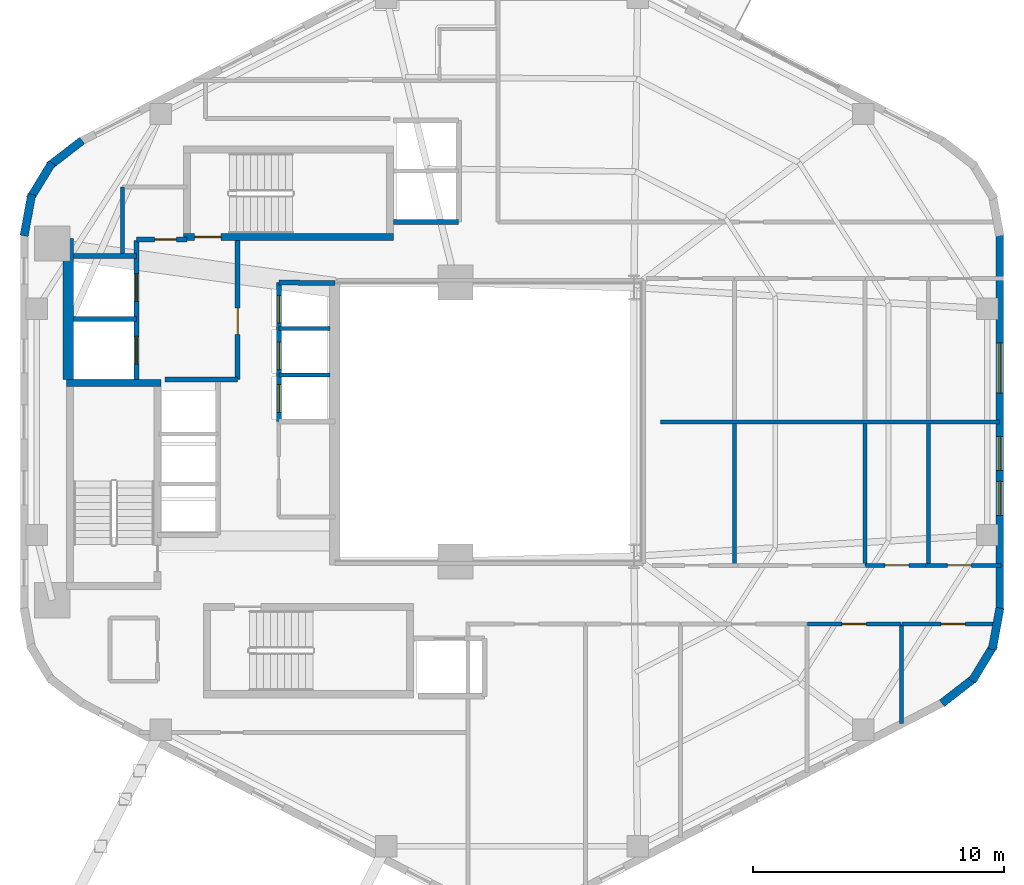
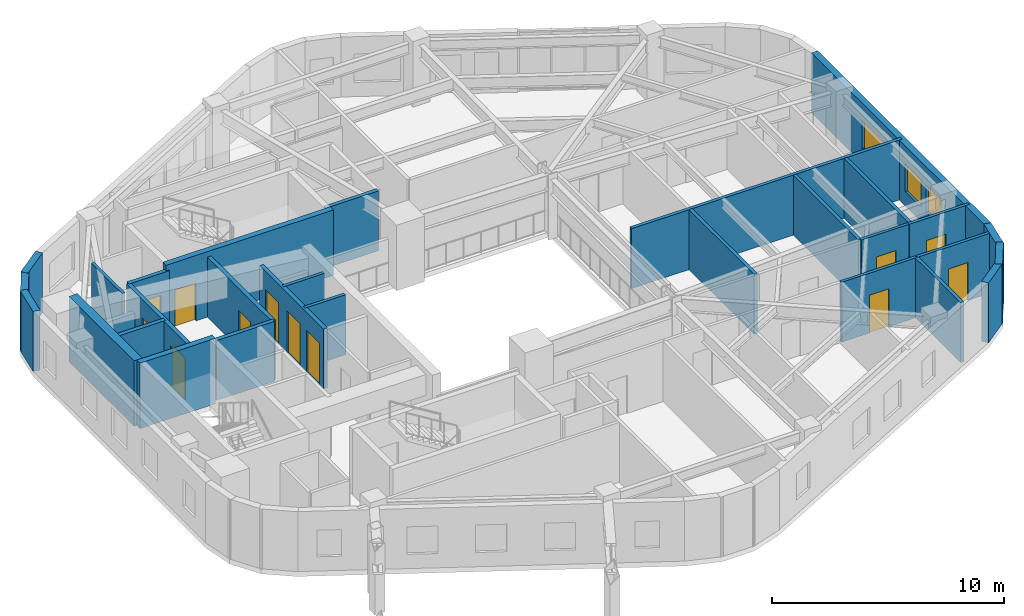
# One storey, part 7 of 11: 31 walls, 12 doors, 3 windows, 15 openings.
"""IFC4 building model written with IfcOpenShell, lengths in metres."""

from ifc_helpers import new_model, si_unit, direction, frame, frame_2d, origin, place, context, subcontext, project, spatial, rectangle, extrude, material, layer, layer_set, type_object, element, fill, save


model = new_model("IFC4")

# Units and contexts
model_context = context("Model", 3, precision=1e-05, world=origin(), true_north=direction((0.0, 1.0)))
body_context = subcontext(model_context, "Body", "Model", "MODEL_VIEW")
ifc_project = project(units=[si_unit("LENGTHUNIT", "METRE"), si_unit("AREAUNIT", "SQUARE_METRE"), si_unit("VOLUMEUNIT", "CUBIC_METRE"), si_unit("PLANEANGLEUNIT", "RADIAN"), si_unit("MASSUNIT", "GRAM", prefix="KILO"), si_unit("THERMODYNAMICTEMPERATUREUNIT", "KELVIN"), si_unit("POWERUNIT", "WATT")], contexts=[model_context])

# Site, building, storey
site_placement = place(None, origin())
site = spatial("IfcSite", under=ifc_project, at=site_placement, CompositionType="ELEMENT")
building_placement = place(site_placement, origin())
building = spatial("IfcBuilding", under=site, at=building_placement, Name="Skarre Station Tower", CompositionType="ELEMENT")
storey_placement = place(building_placement, frame((0.0, 0.0, 170.550048828125)))
storey = spatial("IfcBuildingStorey", under=building, at=storey_placement, Name="L46", CompositionType="ELEMENT", Elevation=170.550048828125)

# Wall
ifc_material_1 = material(Name="Acoustic Steel-Stud Gypsum Partition", Category="steel")
ifc_layer_1 = layer(ifc_material_1, 0.14990234375, Name="Acoustic Steel-Stud Gypsum Partition")
ifc_layer_set_1 = layer_set([ifc_layer_1], Name="Acoustic Steel-Stud Gypsum Partition")
wall_type_1 = type_object("IfcWallType", Name="Fire-Rated Corridor Acoustic Partition 150", PredefinedType="PARTITIONING", material=ifc_layer_set_1)
wall_1_placement = place(storey_placement, frame((19.10009765625, 33.35009765625, 0.0), z_axis=(0.0, 0.0, 1.0), x_axis=(0.0, -1.0, 0.0)))
element("IfcWall", 1, at=wall_1_placement, inside=storey, type_object=wall_type_1, Name="L46 Interior Partition WL-PT-L46-CNW-W", PredefinedType="PARTITIONING", context=body_context, shape_type="SweptSolid", body=[
    extrude(rectangle(XDim=2.655029296875, YDim=0.14990234375, at=frame_2d((1.32763671875, 0.0))), origin(), (0.0, 0.0, 1.0), 3.159912109375),
])

# Wall, opening, door
wall_2_placement = place(storey_placement, frame((51.053955078125, 18.2900390625, 0.0), z_axis=(0.0, 0.0, 1.0), x_axis=(-1.0, 0.0, 0.0)))
wall_2 = element("IfcWall", 2, at=wall_2_placement, inside=storey, type_object=wall_type_1, Name="L46 Interior Partition WL-PT-L46-EWS3-CW", PredefinedType="PARTITIONING", context=body_context, shape_type="SweptSolid", body=[
    extrude(rectangle(XDim=2.383056640625, YDim=0.14990234375, at=frame_2d((1.19140625, 0.0))), origin(), (0.0, 0.0, 1.0), 3.159912109375),
])
opening_1_placement = place(wall_2_placement, frame((0.654052734375, 0.0, 0.0)))
opening_1 = element("IfcOpeningElement", 3, at=opening_1_placement, cuts=wall_2, Name="Opening DR-FD60", PredefinedType="OPENING", context=body_context, shape_type="SweptSolid", body=[
    extrude(rectangle(XDim=0.9599609375, YDim=2.0, at=frame_2d((0.47998046875, 1.0))), frame((0.0, 0.0849609375, 0.0), z_axis=(0.0, -1.0, 0.0), x_axis=(1.0, 0.0, 0.0)), (0.0, 0.0, 1.0), 0.169921875),
])
ifc_material_2 = material(Name="Nordic White-Oak Veneer Solid-Core Fire Leaf", Category="wood")
door_type_1 = type_object("IfcDoorType", Name="Corridor Suite Entry Fire Door FD60 960x2150", OperationType="SINGLE_SWING_LEFT", PredefinedType="DOOR", material=ifc_material_2)
door_1_placement = place(opening_1_placement, origin())
door_1 = element("IfcDoor", 4, at=door_1_placement, inside=storey, type_object=door_type_1, Name="L46 EWS3 Entry Door", OperationType="SINGLE_SWING_LEFT", OverallHeight=2.0, OverallWidth=0.9599609375, PredefinedType="DOOR", context=body_context, shape_type="SweptSolid", body=[
    extrude(rectangle(XDim=0.9599609375, YDim=2.0, at=frame_2d((0.47998046875, 1.0))), frame((0.0, 0.02490234375, 0.0), z_axis=(0.0, -1.0, 0.0), x_axis=(1.0, 0.0, 0.0)), (0.0, 0.0, 1.0), 0.050048828125),
])
fill(opening_1, door_1)

wall_3_placement = place(storey_placement, frame((54.06201171875, 18.2900390625, 0.0), z_axis=(0.0, 0.0, 1.0), x_axis=(-1.0, 0.0, 0.0)))
wall_3 = element("IfcWall", 5, at=wall_3_placement, inside=storey, type_object=wall_type_1, Name="L46 Interior Partition WL-PT-L46-EWS4-CW", PredefinedType="PARTITIONING", context=body_context, shape_type="SweptSolid", body=[
    extrude(rectangle(XDim=2.998046875, YDim=0.14990234375, at=frame_2d((1.4990234375, 0.0))), origin(), (0.0, 0.0, 1.0), 3.159912109375),
])
opening_2_placement = place(wall_3_placement, frame((1.176025390625, 0.0, 0.0)))
opening_2 = element("IfcOpeningElement", 6, at=opening_2_placement, cuts=wall_3, Name="Opening DR-FD60", PredefinedType="OPENING", context=body_context, shape_type="SweptSolid", body=[
    extrude(rectangle(XDim=0.9599609375, YDim=2.0, at=frame_2d((0.47998046875, 1.0))), frame((0.0, 0.0849609375, 0.0), z_axis=(0.0, -1.0, 0.0), x_axis=(1.0, 0.0, 0.0)), (0.0, 0.0, 1.0), 0.169921875),
])
door_2_placement = place(opening_2_placement, origin())
door_2 = element("IfcDoor", 7, at=door_2_placement, inside=storey, type_object=door_type_1, Name="L46 EWS4 Entry Door", OperationType="SINGLE_SWING_LEFT", OverallHeight=2.0, OverallWidth=0.9599609375, PredefinedType="DOOR", context=body_context, shape_type="SweptSolid", body=[
    extrude(rectangle(XDim=0.9599609375, YDim=2.0, at=frame_2d((0.47998046875, 1.0))), frame((0.0, 0.02490234375, 0.0), z_axis=(0.0, -1.0, 0.0), x_axis=(1.0, 0.0, 0.0)), (0.0, 0.0, 1.0), 0.050048828125),
])
fill(opening_2, door_2)

wall_4_placement = place(storey_placement, frame((46.35400390625, 15.9599609375, 0.0), z_axis=(0.0, 0.0, 1.0), x_axis=(1.0, 0.0, 0.0)))
wall_4 = element("IfcWall", 8, at=wall_4_placement, inside=storey, type_object=wall_type_1, Name="L46 Interior Partition WL-PT-L46-SW4-CW", PredefinedType="PARTITIONING", context=body_context, shape_type="SweptSolid", body=[
    extrude(rectangle(XDim=3.737060546875, YDim=0.14990234375, at=frame_2d((1.86865234375, 0.0))), origin(), (0.0, 0.0, 1.0), 3.159912109375),
])
opening_3_placement = place(wall_4_placement, frame((1.388916015625, 0.0, 0.0)))
opening_3 = element("IfcOpeningElement", 9, at=opening_3_placement, cuts=wall_4, Name="Opening DR-FD60", PredefinedType="OPENING", context=body_context, shape_type="SweptSolid", body=[
    extrude(rectangle(XDim=0.9599609375, YDim=2.0, at=frame_2d((0.47998046875, 1.0))), frame((0.0, 0.0849609375, 0.0), z_axis=(0.0, -1.0, 0.0), x_axis=(1.0, 0.0, 0.0)), (0.0, 0.0, 1.0), 0.169921875),
])
door_3_placement = place(opening_3_placement, origin())
door_3 = element("IfcDoor", 10, at=door_3_placement, inside=storey, type_object=door_type_1, Name="L46 SW4 Entry Door", OperationType="SINGLE_SWING_LEFT", OverallHeight=2.0, OverallWidth=0.9599609375, PredefinedType="DOOR", context=body_context, shape_type="SweptSolid", body=[
    extrude(rectangle(XDim=0.9599609375, YDim=2.0, at=frame_2d((0.47998046875, 1.0))), frame((0.0, 0.02490234375, 0.0), z_axis=(0.0, -1.0, 0.0), x_axis=(1.0, 0.0, 0.0)), (0.0, 0.0, 1.0), 0.050048828125),
])
fill(opening_3, door_3)

wall_5_placement = place(storey_placement, frame((50.126953125, 15.9599609375, 0.0), z_axis=(0.0, 0.0, 1.0), x_axis=(1.0, 0.0, 0.0)))
wall_5 = element("IfcWall", 11, at=wall_5_placement, inside=storey, type_object=wall_type_1, Name="L46 Interior Partition WL-PT-L46-SW5-CW", PredefinedType="PARTITIONING", context=body_context, shape_type="SweptSolid", body=[
    extrude(rectangle(XDim=3.93603515625, YDim=0.14990234375, at=frame_2d((1.968017578125, 0.0))), origin(), (0.0, 0.0, 1.0), 3.159912109375),
])
opening_4_placement = place(wall_5_placement, frame((1.556884765625, 0.0, 0.0)))
opening_4 = element("IfcOpeningElement", 12, at=opening_4_placement, cuts=wall_5, Name="Opening DR-FD60", PredefinedType="OPENING", context=body_context, shape_type="SweptSolid", body=[
    extrude(rectangle(XDim=0.9599609375, YDim=2.0, at=frame_2d((0.47998046875, 1.0))), frame((0.0, 0.0849609375, 0.0), z_axis=(0.0, -1.0, 0.0), x_axis=(1.0, 0.0, 0.0)), (0.0, 0.0, 1.0), 0.169921875),
])
door_4_placement = place(opening_4_placement, origin())
door_4 = element("IfcDoor", 13, at=door_4_placement, inside=storey, type_object=door_type_1, Name="L46 SW5 Entry Door", OperationType="SINGLE_SWING_LEFT", OverallHeight=2.0, OverallWidth=0.9599609375, PredefinedType="DOOR", context=body_context, shape_type="SweptSolid", body=[
    extrude(rectangle(XDim=0.9599609375, YDim=2.0, at=frame_2d((0.47998046875, 1.0))), frame((0.0, 0.02490234375, 0.0), z_axis=(0.0, -1.0, 0.0), x_axis=(1.0, 0.0, 0.0)), (0.0, 0.0, 1.0), 0.050048828125),
])
fill(opening_4, door_4)

# Walls
ifc_material_3 = material(Name="Precast concrete C45/55", Category="concrete")
ifc_layer_2 = layer(ifc_material_3, 0.330078125, Name="Precast concrete C45/55")
ifc_layer_set_2 = layer_set([ifc_layer_2], Name="Precast concrete C45/55")
wall_type_2 = type_object("IfcWallType", Name="Nordic Rounded Corner Precast Wall 330", PredefinedType="STANDARD", material=ifc_layer_set_2)
wall_6_placement = place(storey_placement, frame((15.178955078125, 31.407958984375, 0.0), z_axis=(0.0, 0.0, 1.0), x_axis=(0.180717642671, 0.983535019014, 0.0)))
element("IfcWall", 14, at=wall_6_placement, inside=storey, type_object=wall_type_2, Name="L46 Rounded Corner Precast Wall F2-1", PredefinedType="STANDARD", context=body_context, shape_type="SweptSolid", body=[
    extrude(rectangle(XDim=1.676513671875, YDim=0.330078125, at=frame_2d((0.83837890625, 0.0))), origin(), (0.0, 0.0, 1.0), 3.159912109375),
])
wall_7_placement = place(storey_placement, frame((15.4150390625, 32.882080078125, 0.0), z_axis=(0.0, 0.0, 1.0), x_axis=(0.520325409202, 0.853968072318, 0.0)))
element("IfcWall", 15, at=wall_7_placement, inside=storey, type_object=wall_type_2, Name="L46 Rounded Corner Precast Wall F2-2", PredefinedType="STANDARD", context=body_context, shape_type="SweptSolid", body=[
    extrude(rectangle(XDim=1.677978515625, YDim=0.330078125, at=frame_2d((0.8388671875, 0.0))), origin(), (0.0, 0.0, 1.0), 3.159912109375),
])
for number, where, z_axis, x_axis, name in (
    (16, (16.162109375, 34.175048828125, 0.0), (0.0, 0.0, 1.0), (0.791409877269, 0.611285862884, 0.0), "L46 Rounded Corner Precast Wall F2-3"),
    (17, (54.02099609375, 16.592041015625, 0.0), (0.0, 0.0, 1.0), (-0.180717642671, -0.983535019014, 0.0), "L46 Rounded Corner Precast Wall F5-1"),
):
    element("IfcWall", number, at=place(storey_placement, frame(where, z_axis=z_axis, x_axis=x_axis)), inside=storey, type_object=wall_type_2, Name=name, PredefinedType="STANDARD", context=body_context, shape_type="SweptSolid", body=[
        extrude(rectangle(XDim=1.676513671875, YDim=0.330078125, at=frame_2d((0.83837890625, 0.0))), origin(), (0.0, 0.0, 1.0), 3.159912109375),
    ])
wall_8_placement = place(storey_placement, frame((53.784912109375, 15.117919921875, 0.0), z_axis=(0.0, 0.0, 1.0), x_axis=(-0.520219286058, -0.85403272444, 0.0)))
element("IfcWall", 18, at=wall_8_placement, inside=storey, type_object=wall_type_2, Name="L46 Rounded Corner Precast Wall F5-2", PredefinedType="STANDARD", context=body_context, shape_type="SweptSolid", body=[
    extrude(rectangle(XDim=1.677734375, YDim=0.330078125, at=frame_2d((0.8388671875, 0.0))), origin(), (0.0, 0.0, 1.0), 3.159912109375),
])
wall_9_placement = place(storey_placement, frame((53.0380859375, 13.824951171875, 0.0), z_axis=(0.0, 0.0, 1.0), x_axis=(-0.791464279355, -0.611215423976, 0.0)))
element("IfcWall", 19, at=wall_9_placement, inside=storey, type_object=wall_type_2, Name="L46 Rounded Corner Precast Wall F5-3", PredefinedType="STANDARD", context=body_context, shape_type="SweptSolid", body=[
    extrude(rectangle(XDim=1.6767578125, YDim=0.330078125, at=frame_2d((0.83837890625, 0.0))), origin(), (0.0, 0.0, 1.0), 3.159912109375),
])

# Wall, openings, windows
ifc_layer_3 = layer(ifc_material_3, 0.31005859375, Name="Precast concrete C45/55")
ifc_layer_set_3 = layer_set([ifc_layer_3], Name="Precast concrete C45/55")
wall_type_3 = type_object("IfcWallType", Name="Nordic Upper-Zone Precast Facet Wall 310", PredefinedType="STANDARD", material=ifc_layer_set_3)
wall_10_placement = place(storey_placement, frame((54.01708984375, 31.501953125, 0.0), z_axis=(0.0, 0.0, 1.0), x_axis=(0.0, -1.0, 0.0)))
wall_10 = element("IfcWall", 20, at=wall_10_placement, inside=storey, type_object=wall_type_3, Name="L46 Facet 5 Nordic Precast Masonry Wall", PredefinedType="STANDARD", context=body_context, shape_type="SweptSolid", body=[
    extrude(rectangle(XDim=15.00390625, YDim=0.31005859375, at=frame_2d((7.501953125, 0.0))), origin(), (0.0, 0.0, 1.0), 3.159912109375),
])
opening_5_placement = place(wall_10_placement, frame((4.35302734375, 0.0, 0.75)))
opening_5 = element("IfcOpeningElement", 21, at=opening_5_placement, cuts=wall_10, Name="Opening WN-Z3A", PredefinedType="OPENING", context=body_context, shape_type="SweptSolid", body=[
    extrude(rectangle(XDim=2.0, YDim=1.5, at=frame_2d((1.0, 0.75))), frame((0.0, 0.1650390625, 0.0), z_axis=(0.0, -1.0, 0.0), x_axis=(1.0, 0.0, 0.0)), (0.0, 0.0, 1.0), 0.330078125),
])
opening_6_placement = place(wall_10_placement, frame((8.0830078125, 0.0, 0.75)))
opening_6 = element("IfcOpeningElement", 22, at=opening_6_placement, cuts=wall_10, Name="Opening WN-Z3B", PredefinedType="OPENING", context=body_context, shape_type="SweptSolid", body=[
    extrude(rectangle(XDim=1.35009765625, YDim=1.449951171875, at=frame_2d((0.675048828125, 0.72509765625))), frame((0.0, 0.1650390625, 0.0), z_axis=(0.0, -1.0, 0.0), x_axis=(1.0, 0.0, 0.0)), (0.0, 0.0, 1.0), 0.330078125),
])
opening_7_placement = place(wall_10_placement, frame((9.8701171875, 0.0, 0.75)))
opening_7 = element("IfcOpeningElement", 23, at=opening_7_placement, cuts=wall_10, Name="Opening WN-Z3B", PredefinedType="OPENING", context=body_context, shape_type="SweptSolid", body=[
    extrude(rectangle(XDim=1.35009765625, YDim=1.449951171875, at=frame_2d((0.675048828125, 0.72509765625))), frame((0.0, 0.1650390625, 0.0), z_axis=(0.0, -1.0, 0.0), x_axis=(1.0, 0.0, 0.0)), (0.0, 0.0, 1.0), 0.330078125),
])
ifc_material_4 = material(Name="Low-Iron Triple Glazing with Bronze Anodized Frame", Category="glass")
window_type_1 = type_object("IfcWindowType", Name="Nordic Hospitality Narrow Window 1350x1450", PartitioningType="SINGLE_PANEL", PredefinedType="WINDOW", material=ifc_material_4)
window_1_placement = place(opening_6_placement, origin())
window_1 = element("IfcWindow", 24, at=window_1_placement, inside=storey, type_object=window_type_1, Name="L46 Facade Window WL-FAC-L46-F5-2", OverallHeight=1.449951171875, OverallWidth=1.35009765625, PartitioningType="SINGLE_PANEL", PredefinedType="WINDOW", context=body_context, shape_type="SweptSolid", body=[
    extrude(rectangle(XDim=1.35009765625, YDim=1.449951171875, at=frame_2d((0.675048828125, 0.72509765625))), frame((0.0, 0.030029296875, 0.0), z_axis=(0.0, -1.0, 0.0), x_axis=(1.0, 0.0, 0.0)), (0.0, 0.0, 1.0), 0.06005859375),
])
fill(opening_6, window_1)
window_2_placement = place(opening_7_placement, origin())
window_2 = element("IfcWindow", 25, at=window_2_placement, inside=storey, type_object=window_type_1, Name="L46 Facade Window WL-FAC-L46-F5-3", OverallHeight=1.449951171875, OverallWidth=1.35009765625, PartitioningType="SINGLE_PANEL", PredefinedType="WINDOW", context=body_context, shape_type="SweptSolid", body=[
    extrude(rectangle(XDim=1.35009765625, YDim=1.449951171875, at=frame_2d((0.675048828125, 0.72509765625))), frame((0.0, 0.030029296875, 0.0), z_axis=(0.0, -1.0, 0.0), x_axis=(1.0, 0.0, 0.0)), (0.0, 0.0, 1.0), 0.06005859375),
])
fill(opening_7, window_2)
window_type_2 = type_object("IfcWindowType", Name="Nordic Hospitality Window 2000x1500", PartitioningType="SINGLE_PANEL", PredefinedType="WINDOW", material=ifc_material_4)
window_3_placement = place(opening_5_placement, origin())
window_3 = element("IfcWindow", 26, at=window_3_placement, inside=storey, type_object=window_type_2, Name="L46 Facade Window WL-FAC-L46-F5-1", OverallHeight=1.5, OverallWidth=2.0, PartitioningType="SINGLE_PANEL", PredefinedType="WINDOW", context=body_context, shape_type="SweptSolid", body=[
    extrude(rectangle(XDim=2.0, YDim=1.5, at=frame_2d((1.0, 0.75))), frame((0.0, 0.030029296875, 0.0), z_axis=(0.0, -1.0, 0.0), x_axis=(1.0, 0.0, 0.0)), (0.0, 0.0, 1.0), 0.06005859375),
])
fill(opening_5, window_3)

# Wall
ifc_material_5 = material(Name="Concrete C50/60", Category="concrete")
ifc_layer_4 = layer(ifc_material_5, 0.280029296875, Name="Concrete C50/60")
ifc_layer_set_4 = layer_set([ifc_layer_4], Name="Concrete C50/60")
wall_type_4 = type_object("IfcWallType", Name="RC Core Shear Wall 280", PredefinedType="SHEAR", material=ifc_layer_set_4)
wall_11_placement = place(storey_placement, frame((20.6298828125, 25.5400390625, 0.0), z_axis=(0.0, 0.0, 1.0), x_axis=(-1.0, 0.0, 0.0)))
element("IfcWall", 27, at=wall_11_placement, inside=storey, type_object=wall_type_4, Name="L46 Stair ST-1 North Shear Wall", PredefinedType="SHEAR", context=body_context, shape_type="SweptSolid", body=[
    extrude(rectangle(XDim=3.759765625, YDim=0.280029296875, at=frame_2d((1.8798828125, 0.0))), origin(), (0.0, 0.0, 1.0), 3.449951171875),
])

# Wall, opening, door
wall_12_placement = place(storey_placement, frame((21.52001953125, 31.360107421875, 0.0), z_axis=(0.0, 0.0, 1.0), x_axis=(1.0, 0.0, 0.0)))
wall_12 = element("IfcWall", 28, at=wall_12_placement, inside=storey, type_object=wall_type_4, Name="L46 Stair ST-3 South Shear Wall", PredefinedType="SHEAR", context=body_context, shape_type="SweptSolid", body=[
    extrude(rectangle(XDim=8.35986328125, YDim=0.280029296875, at=frame_2d((4.179931640625, 0.0))), origin(), (0.0, 0.0, 1.0), 3.449951171875),
])
opening_8_placement = place(wall_12_placement, frame((0.449951171875, 0.0, 0.0)))
opening_8 = element("IfcOpeningElement", 29, at=opening_8_placement, cuts=wall_12, Name="Opening DR-FD90", PredefinedType="OPENING", context=body_context, shape_type="SweptSolid", body=[
    extrude(rectangle(XDim=1.050048828125, YDim=2.0, at=frame_2d((0.52490234375, 1.0))), frame((0.0, 0.14990234375, 0.0), z_axis=(0.0, -1.0, 0.0), x_axis=(1.0, 0.0, 0.0)), (0.0, 0.0, 1.0), 0.300048828125),
])
ifc_material_6 = material(Name="Fire-Rated Insulated Steel Frame & Timber Core Leaf", Category="steel")
door_type_2 = type_object("IfcDoorType", Name="Stair & FSAE Lobby Fire Door FD90 1050x2150", OperationType="SINGLE_SWING_RIGHT", PredefinedType="DOOR", material=ifc_material_6)
door_5_placement = place(opening_8_placement, origin())
door_5 = element("IfcDoor", 30, at=door_5_placement, inside=storey, type_object=door_type_2, Name="L46 Stair ST-3 & FSAE Lobby Direct Exit Door", OperationType="SINGLE_SWING_LEFT", OverallHeight=2.0, OverallWidth=1.050048828125, PredefinedType="DOOR", context=body_context, shape_type="SweptSolid", body=[
    extrude(rectangle(XDim=1.050048828125, YDim=2.0, at=frame_2d((0.52490234375, 1.0))), frame((0.0, 0.02490234375, 0.0), z_axis=(0.0, -1.0, 0.0), x_axis=(1.0, 0.0, 0.0)), (0.0, 0.0, 1.0), 0.050048828125),
])
fill(opening_8, door_5)

# Wall
ifc_material_7 = material(Name="Concrete C60/75", Category="concrete")
ifc_layer_5 = layer(ifc_material_7, 0.419921875, Name="Concrete C60/75")
ifc_layer_set_5 = layer_set([ifc_layer_5], Name="Concrete C60/75")
wall_type_5 = type_object("IfcWallType", Name="RC Core Shear Wall 420", PredefinedType="SHEAR", material=ifc_layer_set_5)
wall_13_placement = place(storey_placement, frame((16.93994140625, 25.679931640625, 0.0), z_axis=(0.0, 0.0, 1.0), x_axis=(0.0, 1.0, 0.0)))
element("IfcWall", 31, at=wall_13_placement, inside=storey, type_object=wall_type_5, Name="L46 Core West-North Shear Wall", PredefinedType="SHEAR", context=body_context, shape_type="SweptSolid", body=[
    extrude(rectangle(XDim=5.6201171875, YDim=0.419921875, at=frame_2d((2.81005859375, 0.0))), origin(), (0.0, 0.0, 1.0), 3.449951171875),
])

# Wall, openings, doors
ifc_material_8 = material(Name="Gypsum Concrete Shaft Assembly C30/37", Category="concrete")
ifc_layer_6 = layer(ifc_material_8, 0.199951171875, Name="Gypsum Concrete Shaft Assembly C30/37")
ifc_layer_set_6 = layer_set([ifc_layer_6], Name="Gypsum Concrete Shaft Assembly C30/37")
wall_type_6 = type_object("IfcWallType", Name="Shaft & Core Fire Partition 200", PredefinedType="PARTITIONING", material=ifc_layer_set_6)
wall_14_placement = place(storey_placement, frame((19.64990234375, 25.679931640625, 0.0), z_axis=(0.0, 0.0, 1.0), x_axis=(0.0, 1.0, 0.0)))
wall_14 = element("IfcWall", 32, at=wall_14_placement, inside=storey, type_object=wall_type_6, Name="L46 Interior Partition WL-PT-L46-FSAE-W", PredefinedType="PARTITIONING", context=body_context, shape_type="SweptSolid", body=[
    extrude(rectangle(XDim=5.5400390625, YDim=0.199951171875, at=frame_2d((2.77001953125, 0.0))), origin(), (0.0, 0.0, 1.0), 3.159912109375),
])
opening_9_placement = place(wall_14_placement, frame((0.6201171875, 0.0, 0.0)))
opening_9 = element("IfcOpeningElement", 33, at=opening_9_placement, cuts=wall_14, Name="Opening LD-FF1", PredefinedType="OPENING", context=body_context, shape_type="SweptSolid", body=[
    extrude(rectangle(XDim=1.10009765625, YDim=2.199951171875, at=frame_2d((0.550048828125, 1.10009765625))), frame((0.0, 0.10986328125, 0.0), z_axis=(0.0, -1.0, 0.0), x_axis=(1.0, 0.0, 0.0)), (0.0, 0.0, 1.0), 0.219970703125),
])
opening_10_placement = place(wall_14_placement, frame((3.1201171875, 0.0, 0.0)))
opening_10 = element("IfcOpeningElement", 34, at=opening_10_placement, cuts=wall_14, Name="Opening LD-FF2", PredefinedType="OPENING", context=body_context, shape_type="SweptSolid", body=[
    extrude(rectangle(XDim=1.10009765625, YDim=2.199951171875, at=frame_2d((0.550048828125, 1.10009765625))), frame((0.0, 0.10986328125, 0.0), z_axis=(0.0, -1.0, 0.0), x_axis=(1.0, 0.0, 0.0)), (0.0, 0.0, 1.0), 0.219970703125),
])
ifc_material_9 = material(Name="Fire-Rated Stainless Steel Grade 316L Sliding Leaves", Category="steel")
door_type_3 = type_object("IfcDoorType", Name="Fire Service Access Elevator Sliding Landing Door 1100x2200", OperationType="SLIDING_TO_LEFT", PredefinedType="DOOR", material=ifc_material_9)
door_6_placement = place(opening_9_placement, origin())
door_6 = element("IfcDoor", 35, at=door_6_placement, inside=storey, type_object=door_type_3, Name="L46 Firefighting Lift LF-FF1 Landing Door", OperationType="SLIDING_TO_LEFT", OverallHeight=2.199951171875, OverallWidth=1.10009765625, PredefinedType="DOOR", context=body_context, shape_type="SweptSolid", body=[
    extrude(rectangle(XDim=1.10009765625, YDim=2.199951171875, at=frame_2d((0.550048828125, 1.10009765625))), frame((0.0, 0.02490234375, 0.0), z_axis=(0.0, -1.0, 0.0), x_axis=(1.0, 0.0, 0.0)), (0.0, 0.0, 1.0), 0.050048828125),
])
fill(opening_9, door_6)
door_7_placement = place(opening_10_placement, origin())
door_7 = element("IfcDoor", 36, at=door_7_placement, inside=storey, type_object=door_type_3, Name="L46 Firefighting Lift LF-FF2 Landing Door", OperationType="SLIDING_TO_LEFT", OverallHeight=2.199951171875, OverallWidth=1.10009765625, PredefinedType="DOOR", context=body_context, shape_type="SweptSolid", body=[
    extrude(rectangle(XDim=1.10009765625, YDim=2.199951171875, at=frame_2d((0.550048828125, 1.10009765625))), frame((0.0, 0.02490234375, 0.0), z_axis=(0.0, -1.0, 0.0), x_axis=(1.0, 0.0, 0.0)), (0.0, 0.0, 1.0), 0.050048828125),
])
fill(opening_10, door_7)

# Wall
wall_15_placement = place(storey_placement, frame((20.79296875, 25.679931640625, 0.0), z_axis=(0.0, 0.0, 1.0), x_axis=(1.0, 0.0, 0.0)))
element("IfcWall", 37, at=wall_15_placement, inside=storey, type_object=wall_type_6, Name="L46 Interior Partition WL-PT-L46-FSAE-S", PredefinedType="PARTITIONING", context=body_context, shape_type="SweptSolid", body=[
    extrude(rectangle(XDim=2.886962890625, YDim=0.199951171875, at=frame_2d((1.443359375, 0.0))), origin(), (0.0, 0.0, 1.0), 3.159912109375),
])

# Wall, opening, door
wall_16_placement = place(storey_placement, frame((23.679931640625, 25.679931640625, 0.0), z_axis=(0.0, 0.0, 1.0), x_axis=(0.0, 1.0, 0.0)))
wall_16 = element("IfcWall", 38, at=wall_16_placement, inside=storey, type_object=wall_type_6, Name="L46 Interior Partition WL-PT-L46-FSAE-E", PredefinedType="PARTITIONING", context=body_context, shape_type="SweptSolid", body=[
    extrude(rectangle(XDim=5.5400390625, YDim=0.199951171875, at=frame_2d((2.77001953125, 0.0))), origin(), (0.0, 0.0, 1.0), 3.159912109375),
])
opening_11_placement = place(wall_16_placement, frame((1.800048828125, 0.0, 0.0)))
opening_11 = element("IfcOpeningElement", 39, at=opening_11_placement, cuts=wall_16, Name="Opening DR-FD90", PredefinedType="OPENING", context=body_context, shape_type="SweptSolid", body=[
    extrude(rectangle(XDim=1.050048828125, YDim=2.0, at=frame_2d((0.52490234375, 1.0))), frame((0.0, 0.10986328125, 0.0), z_axis=(0.0, -1.0, 0.0), x_axis=(1.0, 0.0, 0.0)), (0.0, 0.0, 1.0), 0.219970703125),
])
door_8_placement = place(opening_11_placement, origin())
door_8 = element("IfcDoor", 40, at=door_8_placement, inside=storey, type_object=door_type_2, Name="L46 FSAE Lobby Fire Door", OperationType="SINGLE_SWING_RIGHT", OverallHeight=2.0, OverallWidth=1.050048828125, PredefinedType="DOOR", context=body_context, shape_type="SweptSolid", body=[
    extrude(rectangle(XDim=1.050048828125, YDim=2.0, at=frame_2d((0.52490234375, 1.0))), frame((0.0, 0.02490234375, 0.0), z_axis=(0.0, -1.0, 0.0), x_axis=(1.0, 0.0, 0.0)), (0.0, 0.0, 1.0), 0.050048828125),
])
fill(opening_11, door_8)

wall_17_placement = place(storey_placement, frame((21.659912109375, 31.260009765625, 0.0), z_axis=(0.0, 0.0, 1.0), x_axis=(-1.0, 0.0, 0.0)))
wall_17 = element("IfcWall", 41, at=wall_17_placement, inside=storey, type_object=wall_type_6, Name="L46 Interior Partition WL-PT-L46-FSAE-N", PredefinedType="PARTITIONING", context=body_context, shape_type="SweptSolid", body=[
    extrude(rectangle(XDim=2.010009765625, YDim=0.199951171875, at=frame_2d((1.0048828125, 0.0))), origin(), (0.0, 0.0, 1.0), 3.159912109375),
])
opening_12_placement = place(wall_17_placement, frame((0.419921875, 0.0, 0.0)))
opening_12 = element("IfcOpeningElement", 42, at=opening_12_placement, cuts=wall_17, Name="Opening DR-SVC86", PredefinedType="OPENING", context=body_context, shape_type="SweptSolid", body=[
    extrude(rectangle(XDim=0.860107421875, YDim=2.0, at=frame_2d((0.43017578125, 1.0))), frame((0.0, 0.10986328125, 0.0), z_axis=(0.0, -1.0, 0.0), x_axis=(1.0, 0.0, 0.0)), (0.0, 0.0, 1.0), 0.219970703125),
])
ifc_material_10 = material(Name="Powder-Coated Hollow-Metal Acoustic Fire Leaf", Category="steel")
door_type_4 = type_object("IfcDoorType", Name="Compact Riser Fire Door FD60 860x2100", OperationType="SINGLE_SWING_LEFT", PredefinedType="DOOR", material=ifc_material_10)
door_9_placement = place(opening_12_placement, origin())
door_9 = element("IfcDoor", 43, at=door_9_placement, inside=storey, type_object=door_type_4, Name="L46 Core Service Room Lobby Door", OperationType="SINGLE_SWING_LEFT", OverallHeight=2.0, OverallWidth=0.860107421875, PredefinedType="DOOR", context=body_context, shape_type="SweptSolid", body=[
    extrude(rectangle(XDim=0.860107421875, YDim=2.0, at=frame_2d((0.43017578125, 1.0))), frame((0.0, 0.02490234375, 0.0), z_axis=(0.0, -1.0, 0.0), x_axis=(1.0, 0.0, 0.0)), (0.0, 0.0, 1.0), 0.050048828125),
])
fill(opening_12, door_9)

# Walls
wall_18_placement = place(storey_placement, frame((17.14990234375, 28.10009765625, 0.0), z_axis=(0.0, 0.0, 1.0), x_axis=(1.0, 0.0, 0.0)))
element("IfcWall", 44, at=wall_18_placement, inside=storey, type_object=wall_type_6, Name="L46 Interior Partition WL-PT-L46-FF-DIV", PredefinedType="PARTITIONING", context=body_context, shape_type="SweptSolid", body=[
    extrude(rectangle(XDim=2.5, YDim=0.199951171875, at=frame_2d((1.25, 0.0))), origin(), (0.0, 0.0, 1.0), 3.159912109375),
])
wall_19_placement = place(storey_placement, frame((19.64990234375, 30.60009765625, 0.0), z_axis=(0.0, 0.0, 1.0), x_axis=(-1.0, 0.0, 0.0)))
element("IfcWall", 45, at=wall_19_placement, inside=storey, type_object=wall_type_6, Name="L46 Interior Partition WL-PT-L46-FF-N", PredefinedType="PARTITIONING", context=body_context, shape_type="SweptSolid", body=[
    extrude(rectangle(XDim=2.5, YDim=0.199951171875, at=frame_2d((1.25, 0.0))), origin(), (0.0, 0.0, 1.0), 2.06005859375),
])
wall_20_placement = place(storey_placement, frame((32.47998046875, 31.949951171875, 0.0), z_axis=(0.0, 0.0, 1.0), x_axis=(-1.0, 0.0, 0.0)))
element("IfcWall", 46, at=wall_20_placement, inside=storey, type_object=wall_type_6, Name="L46 Interior Partition WL-PT-L46-EX-S", PredefinedType="PARTITIONING", context=body_context, shape_type="SweptSolid", body=[
    extrude(rectangle(XDim=2.60009765625, YDim=0.199951171875, at=frame_2d((1.300048828125, 0.0))), origin(), (0.0, 0.0, 1.0), 3.159912109375),
])

# Wall, openings, doors
wall_21_placement = place(storey_placement, frame((25.320068359375, 29.550048828125, 0.0), z_axis=(0.0, 0.0, 1.0), x_axis=(0.0, -1.0, 0.0)))
wall_21 = element("IfcWall", 47, at=wall_21_placement, inside=storey, type_object=wall_type_6, Name="L46 Interior Partition WL-PT-L46-B2-W", PredefinedType="PARTITIONING", context=body_context, shape_type="SweptSolid", body=[
    extrude(rectangle(XDim=5.530029296875, YDim=0.199951171875, at=frame_2d((2.76513671875, 0.0))), origin(), (0.0, 0.0, 1.0), 3.159912109375),
])
opening_13_placement = place(wall_21_placement, frame((0.52001953125, 0.0, 0.0)))
opening_13 = element("IfcOpeningElement", 48, at=opening_13_placement, cuts=wall_21, Name="Opening LD-P6", PredefinedType="OPENING", context=body_context, shape_type="SweptSolid", body=[
    extrude(rectangle(XDim=1.10009765625, YDim=2.199951171875, at=frame_2d((0.550048828125, 1.10009765625))), frame((0.0, 0.10986328125, 0.0), z_axis=(0.0, -1.0, 0.0), x_axis=(1.0, 0.0, 0.0)), (0.0, 0.0, 1.0), 0.219970703125),
])
opening_14_placement = place(wall_21_placement, frame((2.3701171875, 0.0, 0.0)))
opening_14 = element("IfcOpeningElement", 49, at=opening_14_placement, cuts=wall_21, Name="Opening LD-P5", PredefinedType="OPENING", context=body_context, shape_type="SweptSolid", body=[
    extrude(rectangle(XDim=1.10009765625, YDim=2.199951171875, at=frame_2d((0.550048828125, 1.10009765625))), frame((0.0, 0.10986328125, 0.0), z_axis=(0.0, -1.0, 0.0), x_axis=(1.0, 0.0, 0.0)), (0.0, 0.0, 1.0), 0.219970703125),
])
opening_15_placement = place(wall_21_placement, frame((4.070068359375, 0.0, 0.0)))
opening_15 = element("IfcOpeningElement", 50, at=opening_15_placement, cuts=wall_21, Name="Opening LD-P4", PredefinedType="OPENING", context=body_context, shape_type="SweptSolid", body=[
    extrude(rectangle(XDim=1.10009765625, YDim=2.199951171875, at=frame_2d((0.550048828125, 1.10009765625))), frame((0.0, 0.10986328125, 0.0), z_axis=(0.0, -1.0, 0.0), x_axis=(1.0, 0.0, 0.0)), (0.0, 0.0, 1.0), 0.219970703125),
])
ifc_material_11 = material(Name="Brushed Bronze Stainless Steel Sliding Leaves", Category="steel")
door_type_5 = type_object("IfcDoorType", Name="Passenger Elevator Center-Parting Sliding Door 1100x2200", OperationType="SLIDING_TO_LEFT", PredefinedType="DOOR", material=ifc_material_11)
door_10_placement = place(opening_13_placement, origin())
door_10 = element("IfcDoor", 51, at=door_10_placement, inside=storey, type_object=door_type_5, Name="L46 Passenger Lift LF-P6 Landing Door", OperationType="SLIDING_TO_LEFT", OverallHeight=2.199951171875, OverallWidth=1.10009765625, PredefinedType="DOOR", context=body_context, shape_type="SweptSolid", body=[
    extrude(rectangle(XDim=1.10009765625, YDim=2.199951171875, at=frame_2d((0.550048828125, 1.10009765625))), frame((0.0, 0.02490234375, 0.0), z_axis=(0.0, -1.0, 0.0), x_axis=(1.0, 0.0, 0.0)), (0.0, 0.0, 1.0), 0.050048828125),
])
fill(opening_13, door_10)
door_11_placement = place(opening_14_placement, origin())
door_11 = element("IfcDoor", 52, at=door_11_placement, inside=storey, type_object=door_type_5, Name="L46 Passenger Lift LF-P5 Landing Door", OperationType="SLIDING_TO_LEFT", OverallHeight=2.199951171875, OverallWidth=1.10009765625, PredefinedType="DOOR", context=body_context, shape_type="SweptSolid", body=[
    extrude(rectangle(XDim=1.10009765625, YDim=2.199951171875, at=frame_2d((0.550048828125, 1.10009765625))), frame((0.0, 0.02490234375, 0.0), z_axis=(0.0, -1.0, 0.0), x_axis=(1.0, 0.0, 0.0)), (0.0, 0.0, 1.0), 0.050048828125),
])
fill(opening_14, door_11)
door_12_placement = place(opening_15_placement, origin())
door_12 = element("IfcDoor", 53, at=door_12_placement, inside=storey, type_object=door_type_5, Name="L46 Passenger Lift LF-P4 Landing Door", OperationType="SLIDING_TO_LEFT", OverallHeight=2.199951171875, OverallWidth=1.10009765625, PredefinedType="DOOR", context=body_context, shape_type="SweptSolid", body=[
    extrude(rectangle(XDim=1.10009765625, YDim=2.199951171875, at=frame_2d((0.550048828125, 1.10009765625))), frame((0.0, 0.02490234375, 0.0), z_axis=(0.0, -1.0, 0.0), x_axis=(1.0, 0.0, 0.0)), (0.0, 0.0, 1.0), 0.050048828125),
])
fill(opening_15, door_12)

# Walls
wall_22_placement = place(storey_placement, frame((27.550048828125, 29.52001953125, 0.0), z_axis=(0.0, 0.0, 1.0), x_axis=(-0.999909343457, 0.013464949556, 0.0)))
element("IfcWall", 54, at=wall_22_placement, inside=storey, type_object=wall_type_6, Name="L46 Interior Partition WL-PT-L46-B2-N", PredefinedType="PARTITIONING", context=body_context, shape_type="SweptSolid", body=[
    extrude(rectangle(XDim=2.230224609375, YDim=0.199951171875, at=frame_2d((1.115234375, 0.0))), origin(), (0.0, 0.0, 1.0), 2.06005859375),
])
for number, where, z_axis, x_axis, name in (
    (55, (25.320068359375, 25.8701171875, 0.0), (0.0, 0.0, 1.0), (1.0, 0.0, 0.0), "L46 Interior Partition WL-PT-L46-B2-D258"),
    (56, (25.320068359375, 27.719970703125, 0.0), (0.0, 0.0, 1.0), (1.0, 0.0, 0.0), "L46 Interior Partition WL-PT-L46-B2-D277"),
):
    element("IfcWall", number, at=place(storey_placement, frame(where, z_axis=z_axis, x_axis=x_axis)), inside=storey, type_object=wall_type_6, Name=name, PredefinedType="PARTITIONING", context=body_context, shape_type="SweptSolid", body=[
        extrude(rectangle(XDim=2.030029296875, YDim=0.159912109375, at=frame_2d((1.01513671875, 0.0))), origin(), (0.0, 0.0, 1.0), 3.159912109375),
    ])
ifc_layer_7 = layer(ifc_material_1, 0.1650390625, Name="Acoustic Steel-Stud Gypsum Partition")
ifc_layer_set_7 = layer_set([ifc_layer_7], Name="Acoustic Steel-Stud Gypsum Partition")
wall_type_7 = type_object("IfcWallType", Name="Suite Demising Acoustic Partition 165", PredefinedType="PARTITIONING", material=ifc_layer_set_7)
wall_23_placement = place(storey_placement, frame((40.52001953125, 24.0, 0.0), z_axis=(0.0, 0.0, 1.0), x_axis=(1.0, 0.0, 0.0)))
element("IfcWall", 57, at=wall_23_placement, inside=storey, type_object=wall_type_7, Name="L46 Interior Partition WL-PT-L46-EW-Z2MID", PredefinedType="PARTITIONING", context=body_context, shape_type="SweptSolid", body=[
    extrude(rectangle(XDim=13.48193359375, YDim=0.1650390625, at=frame_2d((6.740966796875, 0.0))), origin(), (0.0, 0.0, 1.0), 3.159912109375),
])
for number, where, z_axis, x_axis, name in (
    (58, (43.4609375, 18.2900390625, 0.0), (0.0, 0.0, 1.0), (0.0, 1.0, 0.0), "L46 Interior Partition WL-PT-L46-EWS-P1"),
    (59, (48.656005859375, 18.2900390625, 0.0), (0.0, 0.0, 1.0), (0.0, 1.0, 0.0), "L46 Interior Partition WL-PT-L46-EWS-P2"),
    (60, (51.18408203125, 18.2900390625, 0.0), (0.0, 0.0, 1.0), (0.0, 1.0, 0.0), "L46 Interior Partition WL-PT-L46-EWS-P3"),
):
    element("IfcWall", number, at=place(storey_placement, frame(where, z_axis=z_axis, x_axis=x_axis)), inside=storey, type_object=wall_type_7, Name=name, PredefinedType="PARTITIONING", context=body_context, shape_type="SweptSolid", body=[
        extrude(rectangle(XDim=5.639892578125, YDim=0.1650390625, at=frame_2d((2.81982421875, 0.0))), origin(), (0.0, 0.0, 1.0), 3.159912109375),
    ])
wall_24_placement = place(storey_placement, frame((50.10888671875, 11.9951171875, 0.0), z_axis=(0.0, 0.0, 1.0), x_axis=(0.0, 1.0, 0.0)))
element("IfcWall", 61, at=wall_24_placement, inside=storey, type_object=wall_type_7, Name="L46 Interior Partition WL-PT-L46-SW-P4", PredefinedType="PARTITIONING", context=body_context, shape_type="SweptSolid", body=[
    extrude(rectangle(XDim=3.934814453125, YDim=0.1650390625, at=frame_2d((1.96728515625, 0.0))), origin(), (0.0, 0.0, 1.0), 3.159912109375),
])

save(model, "model.ifc")
